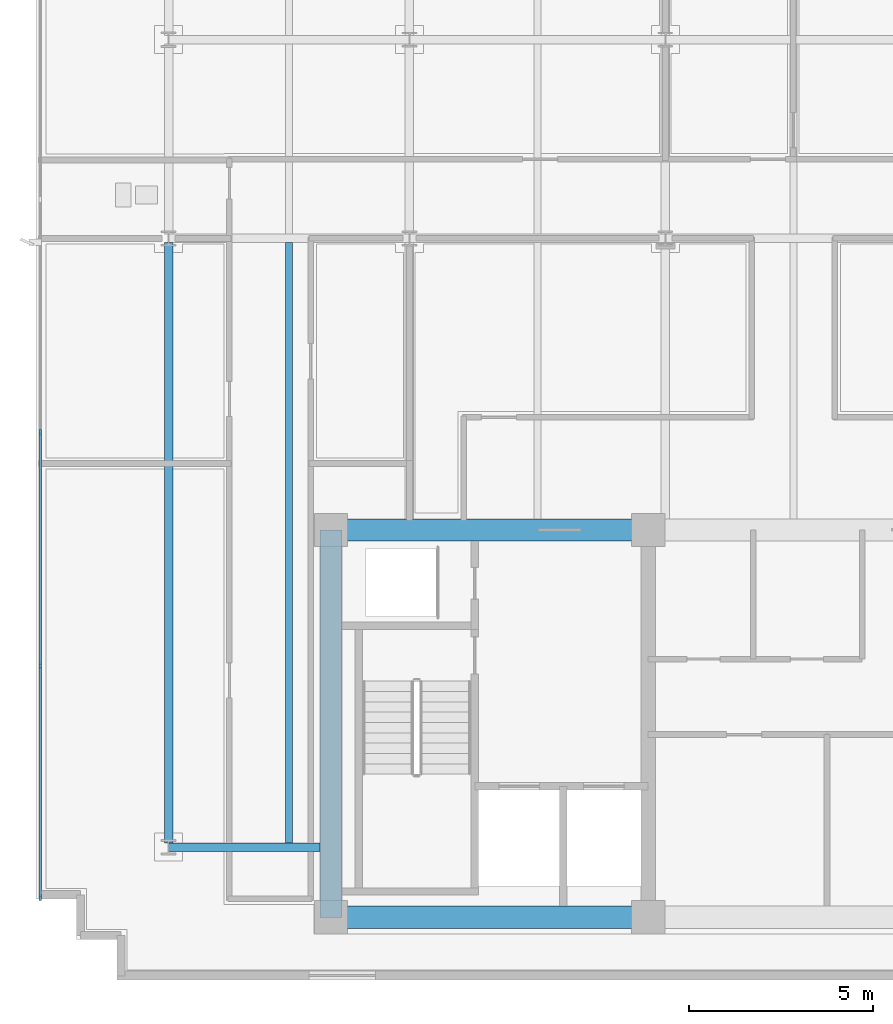
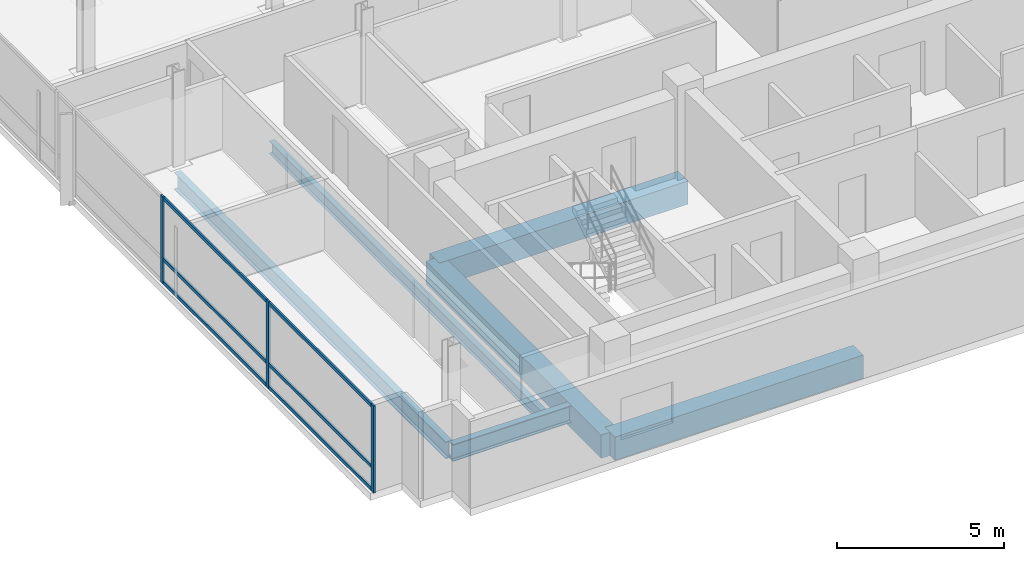
# One storey, part 2 of 18: 9 members, 6 beams, 1 element without a shape of its own.
"""IFC4 building model written with IfcOpenShell, lengths in metres."""

from ifc_helpers import new_model, si_unit, direction, frame, origin, origin_2d, place, context, subcontext, project, spatial, rectangle, i_section, extrude, material, material_profile, profile_set, type_object, element, aggregate, save


model = new_model("IFC4")

# Units and contexts
model_context = context("Model", 3, precision=1e-05, world=origin(), true_north=direction((0.0, 1.0)))
body_context = subcontext(model_context, "Body", "Model", "MODEL_VIEW")
ifc_project = project(units=[si_unit("LENGTHUNIT", "METRE"), si_unit("AREAUNIT", "SQUARE_METRE"), si_unit("VOLUMEUNIT", "CUBIC_METRE"), si_unit("PLANEANGLEUNIT", "RADIAN"), si_unit("MASSUNIT", "GRAM", prefix="KILO")], contexts=[model_context])

# Site, building, storey
site_placement = place(None, origin())
site = spatial("IfcSite", under=ifc_project, at=site_placement, CompositionType="ELEMENT")
building_placement = place(site_placement, origin())
building = spatial("IfcBuilding", under=site, at=building_placement, Name="Solmavex Isthmus Hotel", CompositionType="ELEMENT")
storey_placement = place(building_placement, frame((0.0, 0.0, 283.35009765625)))
storey = spatial("IfcBuildingStorey", under=building, at=storey_placement, Name="L77", CompositionType="ELEMENT", Elevation=283.35009765625)

# Beams
ifc_material_1 = material(Name="Steel ASTM A992 Grade 50", Category="steel")
ifc_material_profile_1 = material_profile(ifc_material_1, i_section(OverallWidth=0.1904296875, OverallDepth=0.456787109375, WebThickness=0.009033203125, FlangeThickness=0.014404296875, FilletRadius=0.0126953125, at=origin_2d()), Name="W18X50")
ifc_profile_set_1 = profile_set([ifc_material_profile_1], Name="Steel ASTM A992 Grade 50")
beam_type_1 = type_object("IfcBeamType", Name="BM-BJ-W18X50", PredefinedType="JOIST", material=ifc_profile_set_1)
beam_1_placement = place(storey_placement, frame((-17.135986328125, -10.98486328125, -0.488525390625), z_axis=(0.0, 1.0, 0.0), x_axis=(-1.0, 0.0, 0.0)))
element("IfcBeam", 1, at=beam_1_placement, inside=storey, type_object=beam_type_1, Name="Secondary Floor Joist L77-J01", PredefinedType="JOIST", context=body_context, shape_type="SweptSolid", body=[
    extrude(i_section(OverallWidth=0.1904296875, OverallDepth=0.456787109375, WebThickness=0.009033203125, FlangeThickness=0.014404296875, FilletRadius=0.0126953125, at=origin_2d()), origin(), (0.0, 0.0, 1.0), 16.27099609375),
])
ifc_material_2 = material(Name="Concrete C50/60", Category="concrete")
ifc_material_profile_2 = material_profile(ifc_material_2, rectangle(XDim=0.60009765625, YDim=0.85009765625, at=origin_2d()), Name="RC600X850")
ifc_profile_set_2 = profile_set([ifc_material_profile_2], Name="Concrete C50/60")
beam_type_2 = type_object("IfcBeamType", Name="BM-CB-600X850", PredefinedType="BEAM", material=ifc_profile_set_2)
for number, where, z_axis, x_axis, name in (
    (2, (-16.0, -13.0, -0.68505859375), (1.0, 0.0, 0.0), (0.0, 1.0, 0.0), "Core Coupling Beam L77-CB1"),
    (3, (-16.0, -2.5, -0.68505859375), (1.0, 0.0, 0.0), (0.0, 1.0, 0.0), "Core Coupling Beam L77-CB4"),
):
    element("IfcBeam", number, at=place(storey_placement, frame(where, z_axis=z_axis, x_axis=x_axis)), inside=storey, type_object=beam_type_2, Name=name, PredefinedType="BEAM", context=body_context, shape_type="SweptSolid", body=[
        extrude(rectangle(XDim=0.60009765625, YDim=0.85009765625, at=origin_2d()), origin(), (0.0, 0.0, 1.0), 8.60009765625),
    ])
beam_2_placement = place(storey_placement, frame((-16.0, -13.0, -0.68505859375), z_axis=(0.0, 1.0, 0.0), x_axis=(-1.0, 0.0, 0.0)))
element("IfcBeam", 4, at=beam_2_placement, inside=storey, type_object=beam_type_2, Name="Core Coupling Beam L77-CB7", PredefinedType="BEAM", context=body_context, shape_type="SweptSolid", body=[
    extrude(rectangle(XDim=0.60009765625, YDim=0.85009765625, at=origin_2d()), origin(), (0.0, 0.0, 1.0), 10.5),
])
ifc_material_profile_3 = material_profile(ifc_material_1, i_section(OverallWidth=0.230224609375, OverallDepth=0.617431640625, WebThickness=0.01318359375, FlangeThickness=0.022216796875, FilletRadius=0.01513671875, at=origin_2d()), Name="W24X94")
ifc_profile_set_3 = profile_set([ifc_material_profile_3], Name="Steel ASTM A992 Grade 50")
beam_type_3 = type_object("IfcBeamType", Name="BM-SP-W24X94", PredefinedType="SPANDREL", material=ifc_profile_set_3)
beam_3_placement = place(storey_placement, frame((-20.39990234375, -11.10009765625, -0.56884765625), z_axis=(1.0, 0.0, 0.0), x_axis=(0.0, 1.0, 0.0)))
element("IfcBeam", 5, at=beam_3_placement, inside=storey, type_object=beam_type_3, Name="Floor Girder L77-UG01", PredefinedType="SPANDREL", context=body_context, shape_type="SweptSolid", body=[
    extrude(i_section(OverallWidth=0.230224609375, OverallDepth=0.617431640625, WebThickness=0.01318359375, FlangeThickness=0.022216796875, FilletRadius=0.01513671875, at=origin_2d()), origin(), (0.0, 0.0, 1.0), 4.099853515625),
])
beam_4_placement = place(storey_placement, frame((-20.39990234375, -10.98486328125, -0.56884765625), z_axis=(0.0, 1.0, 0.0), x_axis=(-1.0, 0.0, 0.0)))
element("IfcBeam", 6, at=beam_4_placement, inside=storey, type_object=beam_type_3, Name="Floor Beam L77-VG21", PredefinedType="SPANDREL", context=body_context, shape_type="SweptSolid", body=[
    extrude(i_section(OverallWidth=0.230224609375, OverallDepth=0.617431640625, WebThickness=0.01318359375, FlangeThickness=0.022216796875, FilletRadius=0.01513671875, at=origin_2d()), origin(), (0.0, 0.0, 1.0), 16.27099609375),
])

# Curtain wall, members
ifc_material_3 = material(Name="Aluminium alloy 6063-T6", Category="aluminium")
curtain_wall_type = type_object("IfcCurtainWallType", Name="CW-SYS-05", PredefinedType="NOTDEFINED", material=ifc_material_3)
curtain_wall_placement = place(storey_placement, origin())
curtain_wall = element("IfcCurtainWall", 7, at=curtain_wall_placement, inside=storey, type_object=curtain_wall_type, Name="Stick Curtain Wall CWL-L77-W1", PredefinedType="NOTDEFINED")
ifc_material_profile_4 = material_profile(ifc_material_3, rectangle(XDim=0.06494140625, YDim=0.159912109375, at=origin_2d()), Name="CWM-65X160")
ifc_profile_set_4 = profile_set([ifc_material_profile_4], Name="Aluminium alloy 6063-T6")
member_type_1 = type_object("IfcMemberType", Name="CW-SYS-05-MUL", PredefinedType="MULLION", material=ifc_profile_set_4)
member_1_placement = place(storey_placement, frame((-23.8798828125, -12.467529296875, 0.0), z_axis=(0.0, 0.0, 1.0), x_axis=(-1.0, 0.0, 0.0)))
member_1 = element("IfcMember", 8, at=member_1_placement, type_object=member_type_1, Name="CW-05 mullion 1", PredefinedType="MULLION", context=body_context, shape_type="SweptSolid", body=[
    extrude(rectangle(XDim=0.06494140625, YDim=0.159912109375, at=origin_2d()), origin(), (0.0, 0.0, 1.0), 3.18994140625),
])
member_2_placement = place(storey_placement, frame((-23.8798828125, -6.179931640625, 0.0), z_axis=(0.0, 0.0, 1.0), x_axis=(-1.0, 0.0, 0.0)))
member_2 = element("IfcMember", 9, at=member_2_placement, type_object=member_type_1, Name="CW-05 mullion 2", PredefinedType="MULLION", context=body_context, shape_type="SweptSolid", body=[
    extrude(rectangle(XDim=0.06494140625, YDim=0.159912109375, at=origin_2d()), origin(), (0.0, 0.0, 1.0), 3.18994140625),
])
member_3_placement = place(storey_placement, frame((-23.8798828125, 0.139892578125, 0.0), z_axis=(0.0, 0.0, 1.0), x_axis=(-1.0, 0.0, 0.0)))
member_3 = element("IfcMember", 10, at=member_3_placement, type_object=member_type_1, Name="CW-05 mullion 3", PredefinedType="MULLION", context=body_context, shape_type="SweptSolid", body=[
    extrude(rectangle(XDim=0.06494140625, YDim=0.159912109375, at=origin_2d()), origin(), (0.0, 0.0, 1.0), 3.18994140625),
])
ifc_material_profile_5 = material_profile(ifc_material_3, rectangle(XDim=0.06494140625, YDim=0.125, at=origin_2d()), Name="CWT-65X125")
ifc_profile_set_5 = profile_set([ifc_material_profile_5], Name="Aluminium alloy 6063-T6")
member_type_2 = type_object("IfcMemberType", Name="CW-SYS-05-TRN", PredefinedType="USERDEFINED", material=ifc_profile_set_5)
member_4_placement = place(storey_placement, frame((-23.8798828125, -12.43505859375, 0.0625), z_axis=(0.0, 1.0, 0.0), x_axis=(-1.0, 0.0, 0.0)))
member_4 = element("IfcMember", 11, at=member_4_placement, type_object=member_type_2, Name="CW-05 transom 1.1", ObjectType="TRANSOM", PredefinedType="USERDEFINED", context=body_context, shape_type="SweptSolid", body=[
    extrude(rectangle(XDim=0.06494140625, YDim=0.125, at=origin_2d()), origin(), (0.0, 0.0, 1.0), 6.22265625),
])
member_5_placement = place(storey_placement, frame((-23.8798828125, -12.43505859375, 0.89990234375), z_axis=(0.0, 1.0, 0.0), x_axis=(-1.0, 0.0, 0.0)))
member_5 = element("IfcMember", 12, at=member_5_placement, type_object=member_type_2, Name="CW-05 transom 1.2", ObjectType="TRANSOM", PredefinedType="USERDEFINED", context=body_context, shape_type="SweptSolid", body=[
    extrude(rectangle(XDim=0.06494140625, YDim=0.125, at=origin_2d()), origin(), (0.0, 0.0, 1.0), 6.22265625),
])
member_6_placement = place(storey_placement, frame((-23.8798828125, -12.43505859375, 3.12744140625), z_axis=(0.0, 1.0, 0.0), x_axis=(-1.0, 0.0, 0.0)))
member_6 = element("IfcMember", 13, at=member_6_placement, type_object=member_type_2, Name="CW-05 transom 1.3", ObjectType="TRANSOM", PredefinedType="USERDEFINED", context=body_context, shape_type="SweptSolid", body=[
    extrude(rectangle(XDim=0.06494140625, YDim=0.125, at=origin_2d()), origin(), (0.0, 0.0, 1.0), 6.22265625),
])
member_7_placement = place(storey_placement, frame((-23.8798828125, -6.1474609375, 0.0625), z_axis=(0.0, 1.0, 0.0), x_axis=(-1.0, 0.0, 0.0)))
member_7 = element("IfcMember", 14, at=member_7_placement, type_object=member_type_2, Name="CW-05 transom 2.1", ObjectType="TRANSOM", PredefinedType="USERDEFINED", context=body_context, shape_type="SweptSolid", body=[
    extrude(rectangle(XDim=0.06494140625, YDim=0.125, at=origin_2d()), origin(), (0.0, 0.0, 1.0), 6.2548828125),
])
member_8_placement = place(storey_placement, frame((-23.8798828125, -6.1474609375, 0.89990234375), z_axis=(0.0, 1.0, 0.0), x_axis=(-1.0, 0.0, 0.0)))
member_8 = element("IfcMember", 15, at=member_8_placement, type_object=member_type_2, Name="CW-05 transom 2.2", ObjectType="TRANSOM", PredefinedType="USERDEFINED", context=body_context, shape_type="SweptSolid", body=[
    extrude(rectangle(XDim=0.06494140625, YDim=0.125, at=origin_2d()), origin(), (0.0, 0.0, 1.0), 6.2548828125),
])
member_9_placement = place(storey_placement, frame((-23.8798828125, -6.1474609375, 3.12744140625), z_axis=(0.0, 1.0, 0.0), x_axis=(-1.0, 0.0, 0.0)))
member_9 = element("IfcMember", 16, at=member_9_placement, type_object=member_type_2, Name="CW-05 transom 2.3", ObjectType="TRANSOM", PredefinedType="USERDEFINED", context=body_context, shape_type="SweptSolid", body=[
    extrude(rectangle(XDim=0.06494140625, YDim=0.125, at=origin_2d()), origin(), (0.0, 0.0, 1.0), 6.2548828125),
])
aggregate(curtain_wall, [member_1, member_2, member_3, member_4, member_5, member_6, member_7, member_8, member_9])

save(model, "model.ifc")
